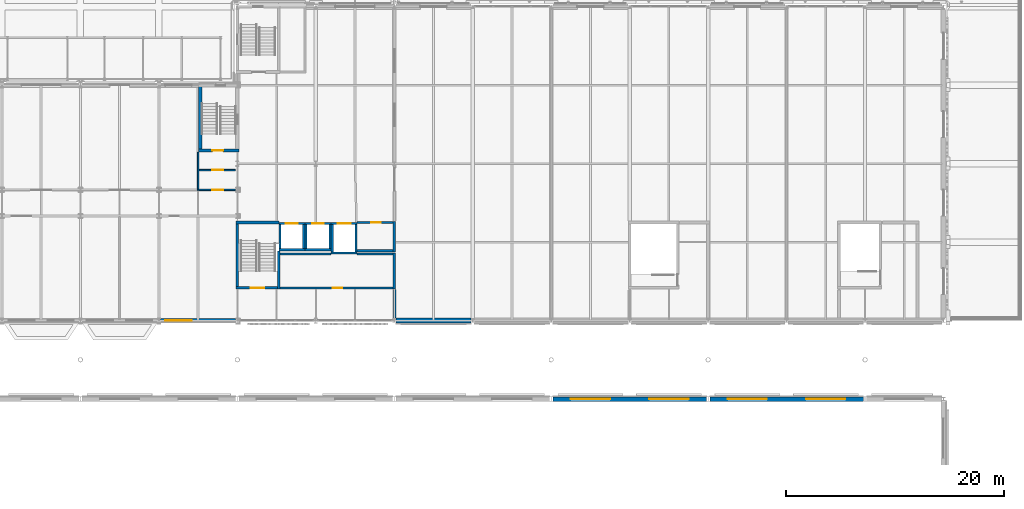
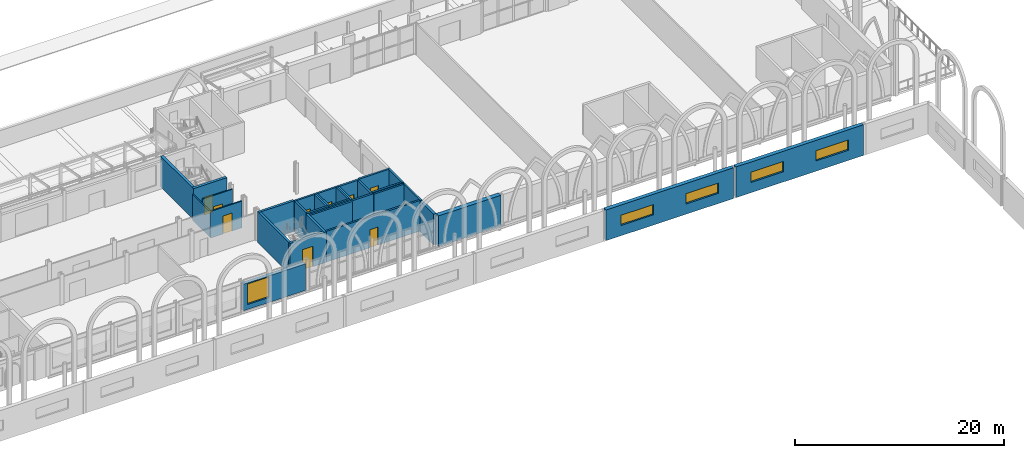
# One storey, part 82 of 143: 33 walls, 9 doors, 5 windows, 14 openings.
"""IFC4 building model written with IfcOpenShell, lengths in metres."""

from ifc_helpers import new_model, si_unit, direction, frame, frame_2d, origin, place, context, subcontext, project, spatial, rectangle, extrude, material, layer, layer_set, type_object, element, fill, save


model = new_model("IFC4")

# Units and contexts
model_context = context("Model", 3, precision=1e-05, world=origin(), true_north=direction((0.0, 1.0)))
body_context = subcontext(model_context, "Body", "Model", "MODEL_VIEW")
ifc_project = project(units=[si_unit("LENGTHUNIT", "METRE"), si_unit("AREAUNIT", "SQUARE_METRE"), si_unit("VOLUMEUNIT", "CUBIC_METRE"), si_unit("PLANEANGLEUNIT", "RADIAN"), si_unit("MASSUNIT", "GRAM", prefix="KILO")], contexts=[model_context])

# Site, building, storey
site_placement = place(None, origin())
site = spatial("IfcSite", under=ifc_project, at=site_placement, CompositionType="ELEMENT")
building_placement = place(site_placement, origin())
building = spatial("IfcBuilding", under=site, at=building_placement, Name="Kupolbacken Congress Centre", CompositionType="ELEMENT")
storey_placement = place(building_placement, frame((0.0, 0.0, 7.199951171875)))
storey = spatial("IfcBuildingStorey", under=building, at=storey_placement, Name="L02", CompositionType="ELEMENT", Elevation=7.199951171875)

# Wall, opening, window
ifc_material_1 = material(Name="Limestone", Category="masonry")
ifc_layer_1 = layer(ifc_material_1, 0.1201171875)
ifc_material_2 = material(Name="Air cavity", Category="air")
ifc_layer_2 = layer(ifc_material_2, 0.0400390625, ventilated=True)
ifc_material_3 = material(Name="Mineral wool", Category="insulation")
ifc_layer_3 = layer(ifc_material_3, 0.169921875)
ifc_material_4 = material(Name="Steel studs", Category="metal")
ifc_layer_4 = layer(ifc_material_4, 0.050048828125)
ifc_layer_set_1 = layer_set([ifc_layer_1, ifc_layer_2, ifc_layer_3, ifc_layer_4], Name="Limestone / Mineral wool / Steel studs")
wall_type_1 = type_object("IfcWallType", Name="EW03 external cavity wall 380", PredefinedType="SOLIDWALL", material=ifc_layer_set_1)
wall_1_placement = place(storey_placement, frame((129.75341796875, 122.39990234375, 0.0), z_axis=(0.0, 0.0, 1.0), x_axis=(1.0, 0.0, 0.0)))
wall_1 = element("IfcWall", 1, at=wall_1_placement, inside=storey, type_object=wall_type_1, Name="E/T/S/L02/029", PredefinedType="SOLIDWALL", context=body_context, shape_type="SweptSolid", body=[
    extrude(rectangle(XDim=6.896484375, YDim=0.3798828125, at=frame_2d((3.4482421875, 0.0))), origin(), (0.0, 0.0, 1.0), 3.1201171875),
])
opening_1_placement = place(wall_1_placement, frame((0.446533203125, 0.0, 0.60009765625)))
opening_1 = element("IfcOpeningElement", 2, at=opening_1_placement, cuts=wall_1, Name="Opening W30", PredefinedType="OPENING", context=body_context, shape_type="SweptSolid", body=[
    extrude(rectangle(XDim=2.39990234375, YDim=2.39990234375, at=frame_2d((1.199951171875, 1.199951171875))), frame((0.0, 0.199951171875, 0.0), z_axis=(0.0, -1.0, 0.0), x_axis=(1.0, 0.0, 0.0)), (0.0, 0.0, 1.0), 0.39990234375),
])
ifc_material_5 = material(Name="Aluminium frame with double or triple glazing", Category="aluminium")
window_type_1 = type_object("IfcWindowType", Name="W30 window 2400x2400", PartitioningType="DOUBLE_PANEL_VERTICAL", PredefinedType="WINDOW", material=ifc_material_5)
window_1_placement = place(opening_1_placement, origin())
window_1 = element("IfcWindow", 3, at=window_1_placement, inside=storey, type_object=window_type_1, Name="E/T/S/L02/029/W1", OverallHeight=2.39990234375, OverallWidth=2.39990234375, PartitioningType="SINGLE_PANEL", PredefinedType="WINDOW", context=body_context, shape_type="SweptSolid", body=[
    extrude(rectangle(XDim=2.39990234375, YDim=2.39990234375, at=frame_2d((1.199951171875, 1.199951171875))), frame((0.0, 0.030029296875, 0.0), z_axis=(0.0, -1.0, 0.0), x_axis=(1.0, 0.0, 0.0)), (0.0, 0.0, 1.0), 0.06005859375),
])
fill(opening_1, window_1)

# Wall, openings, windows
ifc_material_6 = material(Name="Brick", Category="masonry")
ifc_layer_5 = layer(ifc_material_6, 0.10791015625)
ifc_layer_6 = layer(ifc_material_2, 0.0400390625, ventilated=True)
ifc_layer_7 = layer(ifc_material_3, 0.152099609375)
ifc_material_7 = material(Name="Concrete block", Category="masonry")
ifc_layer_8 = layer(ifc_material_7, 0.1201171875)
ifc_layer_set_2 = layer_set([ifc_layer_5, ifc_layer_6, ifc_layer_7, ifc_layer_8], Name="Brick / Mineral wool / Concrete block")
wall_type_2 = type_object("IfcWallType", Name="EW04 external cavity wall 420", PredefinedType="SOLIDWALL", material=ifc_layer_set_2)
wall_2_placement = place(storey_placement, frame((194.25, 115.199951171875, 0.0), z_axis=(0.0, 0.0, 1.0), x_axis=(-1.0, 0.0, 0.0)))
wall_2 = element("IfcWall", 4, at=wall_2_placement, inside=storey, type_object=wall_type_2, Name="E/H/N/L02/257", PredefinedType="SOLIDWALL", context=body_context, shape_type="SweptSolid", body=[
    extrude(rectangle(XDim=14.10009765625, YDim=0.419921875, at=frame_2d((7.050048828125, 0.0))), origin(), (0.0, 0.0, 1.0), 3.60009765625),
])
opening_2_placement = place(wall_2_placement, frame((8.85009765625, 0.0, 1.199951171875)))
opening_2 = element("IfcOpeningElement", 5, at=opening_2_placement, cuts=wall_2, Name="Opening W12", PredefinedType="OPENING", context=body_context, shape_type="SweptSolid", body=[
    extrude(rectangle(XDim=3.60009765625, YDim=1.199951171875, at=frame_2d((1.800048828125, 0.60009765625))), frame((0.0, 0.219970703125, 0.0), z_axis=(0.0, -1.0, 0.0), x_axis=(1.0, 0.0, 0.0)), (0.0, 0.0, 1.0), 0.43994140625),
])
opening_3_placement = place(wall_2_placement, frame((1.64990234375, 0.0, 1.199951171875)))
opening_3 = element("IfcOpeningElement", 6, at=opening_3_placement, cuts=wall_2, Name="Opening W12", PredefinedType="OPENING", context=body_context, shape_type="SweptSolid", body=[
    extrude(rectangle(XDim=3.60009765625, YDim=1.199951171875, at=frame_2d((1.800048828125, 0.60009765625))), frame((0.0, 0.219970703125, 0.0), z_axis=(0.0, -1.0, 0.0), x_axis=(1.0, 0.0, 0.0)), (0.0, 0.0, 1.0), 0.43994140625),
])
ifc_material_8 = material(Name="Aluminium frame with double or triple glazing", Category="aluminium")
window_type_2 = type_object("IfcWindowType", Name="W12 window 3600x1200", PartitioningType="TRIPLE_PANEL_VERTICAL", PredefinedType="WINDOW", material=ifc_material_8)
window_2_placement = place(opening_2_placement, origin())
window_2 = element("IfcWindow", 7, at=window_2_placement, inside=storey, type_object=window_type_2, Name="E/H/N/L02/257/W1", OverallHeight=1.199951171875, OverallWidth=3.60009765625, PartitioningType="SINGLE_PANEL", PredefinedType="WINDOW", context=body_context, shape_type="SweptSolid", body=[
    extrude(rectangle(XDim=3.60009765625, YDim=1.199951171875, at=frame_2d((1.800048828125, 0.60009765625))), frame((0.0, 0.030029296875, 0.0), z_axis=(0.0, -1.0, 0.0), x_axis=(1.0, 0.0, 0.0)), (0.0, 0.0, 1.0), 0.06005859375),
])
fill(opening_2, window_2)
window_3_placement = place(opening_3_placement, origin())
window_3 = element("IfcWindow", 8, at=window_3_placement, inside=storey, type_object=window_type_2, Name="E/H/N/L02/257/W2", OverallHeight=1.199951171875, OverallWidth=3.60009765625, PartitioningType="SINGLE_PANEL", PredefinedType="WINDOW", context=body_context, shape_type="SweptSolid", body=[
    extrude(rectangle(XDim=3.60009765625, YDim=1.199951171875, at=frame_2d((1.800048828125, 0.60009765625))), frame((0.0, 0.030029296875, 0.0), z_axis=(0.0, -1.0, 0.0), x_axis=(1.0, 0.0, 0.0)), (0.0, 0.0, 1.0), 0.06005859375),
])
fill(opening_3, window_3)

wall_3_placement = place(storey_placement, frame((179.85009765625, 115.199951171875, 0.0), z_axis=(0.0, 0.0, 1.0), x_axis=(-1.0, 0.0, 0.0)))
wall_3 = element("IfcWall", 9, at=wall_3_placement, inside=storey, type_object=wall_type_2, Name="E/H/N/L02/258", PredefinedType="SOLIDWALL", context=body_context, shape_type="SweptSolid", body=[
    extrude(rectangle(XDim=14.10009765625, YDim=0.419921875, at=frame_2d((7.050048828125, 0.0))), origin(), (0.0, 0.0, 1.0), 3.60009765625),
])
opening_4_placement = place(wall_3_placement, frame((8.85009765625, 0.0, 1.199951171875)))
opening_4 = element("IfcOpeningElement", 10, at=opening_4_placement, cuts=wall_3, Name="Opening W12", PredefinedType="OPENING", context=body_context, shape_type="SweptSolid", body=[
    extrude(rectangle(XDim=3.60009765625, YDim=1.199951171875, at=frame_2d((1.800048828125, 0.60009765625))), frame((0.0, 0.219970703125, 0.0), z_axis=(0.0, -1.0, 0.0), x_axis=(1.0, 0.0, 0.0)), (0.0, 0.0, 1.0), 0.43994140625),
])
opening_5_placement = place(wall_3_placement, frame((1.64990234375, 0.0, 1.199951171875)))
opening_5 = element("IfcOpeningElement", 11, at=opening_5_placement, cuts=wall_3, Name="Opening W12", PredefinedType="OPENING", context=body_context, shape_type="SweptSolid", body=[
    extrude(rectangle(XDim=3.60009765625, YDim=1.199951171875, at=frame_2d((1.800048828125, 0.60009765625))), frame((0.0, 0.219970703125, 0.0), z_axis=(0.0, -1.0, 0.0), x_axis=(1.0, 0.0, 0.0)), (0.0, 0.0, 1.0), 0.43994140625),
])
window_4_placement = place(opening_4_placement, origin())
window_4 = element("IfcWindow", 12, at=window_4_placement, inside=storey, type_object=window_type_2, Name="E/H/N/L02/258/W1", OverallHeight=1.199951171875, OverallWidth=3.60009765625, PartitioningType="SINGLE_PANEL", PredefinedType="WINDOW", context=body_context, shape_type="SweptSolid", body=[
    extrude(rectangle(XDim=3.60009765625, YDim=1.199951171875, at=frame_2d((1.800048828125, 0.60009765625))), frame((0.0, 0.030029296875, 0.0), z_axis=(0.0, -1.0, 0.0), x_axis=(1.0, 0.0, 0.0)), (0.0, 0.0, 1.0), 0.06005859375),
])
fill(opening_4, window_4)
window_5_placement = place(opening_5_placement, origin())
window_5 = element("IfcWindow", 13, at=window_5_placement, inside=storey, type_object=window_type_2, Name="E/H/N/L02/258/W2", OverallHeight=1.199951171875, OverallWidth=3.60009765625, PartitioningType="SINGLE_PANEL", PredefinedType="WINDOW", context=body_context, shape_type="SweptSolid", body=[
    extrude(rectangle(XDim=3.60009765625, YDim=1.199951171875, at=frame_2d((1.800048828125, 0.60009765625))), frame((0.0, 0.030029296875, 0.0), z_axis=(0.0, -1.0, 0.0), x_axis=(1.0, 0.0, 0.0)), (0.0, 0.0, 1.0), 0.06005859375),
])
fill(opening_5, window_5)

# Walls
ifc_layer_9 = layer(ifc_material_1, 0.14990234375)
ifc_layer_10 = layer(ifc_material_2, 0.0400390625, ventilated=True)
ifc_layer_11 = layer(ifc_material_3, 0.169921875)
ifc_layer_12 = layer(ifc_material_7, 0.1201171875)
ifc_layer_set_3 = layer_set([ifc_layer_9, ifc_layer_10, ifc_layer_11, ifc_layer_12], Name="Limestone / Mineral wool / Concrete block")
wall_type_3 = type_object("IfcWallType", Name="EW07 external cavity wall 480", PredefinedType="SOLIDWALL", material=ifc_layer_set_3)
wall_4_placement = place(storey_placement, frame((151.35009765625, 122.39990234375, 0.0), z_axis=(0.0, 0.0, 1.0), x_axis=(1.0, 0.0, 0.0)))
element("IfcWall", 14, at=wall_4_placement, inside=storey, type_object=wall_type_3, Name="E/B/S/L02/212", PredefinedType="SOLIDWALL", context=body_context, shape_type="SweptSolid", body=[
    extrude(rectangle(XDim=6.89990234375, YDim=0.47998046875, at=frame_2d((3.449951171875, 0.0))), origin(), (0.0, 0.0, 1.0), 3.60009765625),
])
ifc_material_9 = material(Name="Gypsum board", Category="drywall")
ifc_layer_13 = layer(ifc_material_9, 0.27490234375)
ifc_layer_set_4 = layer_set([ifc_layer_13], Name="Gypsum board")
wall_type_4 = type_object("IfcWallType", Name="P12 partition 275", PredefinedType="PARTITIONING", material=ifc_layer_set_4)
wall_5_placement = place(storey_placement, frame((151.199951171875, 122.639892578125, 0.0), z_axis=(0.0, 0.0, 1.0), x_axis=(0.0, 1.0, 0.0)))
element("IfcWall", 15, at=wall_5_placement, inside=storey, type_object=wall_type_4, Name="PD/L02/W010", PredefinedType="PARTITIONING", context=body_context, shape_type="SweptSolid", body=[
    extrude(rectangle(XDim=2.60009765625, YDim=0.27490234375, at=frame_2d((1.300048828125, 0.0))), origin(), (0.0, 0.0, 1.0), 3.60009765625),
])

# Wall, opening, door
ifc_material_10 = material(Name="Aerated concrete block", Category="masonry")
ifc_layer_14 = layer(ifc_material_10, 0.139892578125)
ifc_layer_set_5 = layer_set([ifc_layer_14], Name="Aerated concrete block")
wall_type_5 = type_object("IfcWallType", Name="P14 compartment wall 140", PredefinedType="PARTITIONING", material=ifc_layer_set_5)
wall_6_placement = place(storey_placement, frame((133.1298828125, 134.39990234375, 0.0), z_axis=(0.0, 0.0, 1.0), x_axis=(1.0, 0.0, 0.0)))
wall_6 = element("IfcWall", 16, at=wall_6_placement, inside=storey, type_object=wall_type_5, Name="T/wall/L02/x/13440/13320", PredefinedType="PARTITIONING", context=body_context, shape_type="SweptSolid", body=[
    extrude(rectangle(XDim=3.480224609375, YDim=0.139892578125, at=frame_2d((1.740234375, 0.0))), origin(), (0.0, 0.0, 1.0), 3.1201171875),
])
opening_6_placement = place(wall_6_placement, frame((1.3701171875, 0.0, 0.0)))
opening_6 = element("IfcOpeningElement", 17, at=opening_6_placement, cuts=wall_6, Name="Opening D5", PredefinedType="OPENING", context=body_context, shape_type="SweptSolid", body=[
    extrude(rectangle(XDim=1.0, YDim=2.10009765625, at=frame_2d((0.5, 1.050048828125))), frame((0.0, 0.079833984375, 0.0), z_axis=(0.0, -1.0, 0.0), x_axis=(1.0, 0.0, 0.0)), (0.0, 0.0, 1.0), 0.159912109375),
])
ifc_material_11 = material(Name="Steel fire door leaf", Category="steel")
door_type_1 = type_object("IfcDoorType", Name="D5 stair door 1000x2100", OperationType="SINGLE_SWING_LEFT", PredefinedType="DOOR", material=ifc_material_11)
door_1_placement = place(opening_6_placement, frame((1.0, 0.0, 0.0), z_axis=(0.0, 0.0, 1.0), x_axis=(-1.0, 0.0, 0.0)))
door_1 = element("IfcDoor", 18, at=door_1_placement, inside=storey, type_object=door_type_1, Name="T/wall/L02/x/13440/13320/D-TS4-LK3", OperationType="SINGLE_SWING_LEFT", OverallHeight=2.10009765625, OverallWidth=1.0, PredefinedType="DOOR", context=body_context, shape_type="SweptSolid", body=[
    extrude(rectangle(XDim=1.0, YDim=2.10009765625, at=frame_2d((0.5, 1.050048828125))), frame((0.0, 0.02490234375, 0.0), z_axis=(0.0, -1.0, 0.0), x_axis=(1.0, 0.0, 0.0)), (0.0, 0.0, 1.0), 0.050048828125),
])
fill(opening_6, door_1)

wall_7_placement = place(storey_placement, frame((133.27001953125, 136.199951171875, 0.0), z_axis=(0.0, 0.0, 1.0), x_axis=(1.0, 0.0, 0.0)))
wall_7 = element("IfcWall", 19, at=wall_7_placement, inside=storey, type_object=wall_type_5, Name="T/wall/L02/x/13620/13320", PredefinedType="PARTITIONING", context=body_context, shape_type="SweptSolid", body=[
    extrude(rectangle(XDim=3.340087890625, YDim=0.139892578125, at=frame_2d((1.669921875, 0.0))), origin(), (0.0, 0.0, 1.0), 3.420166015625),
])
opening_7_placement = place(wall_7_placement, frame((1.22998046875, 0.0, 0.0)))
opening_7 = element("IfcOpeningElement", 20, at=opening_7_placement, cuts=wall_7, Name="Opening D5", PredefinedType="OPENING", context=body_context, shape_type="SweptSolid", body=[
    extrude(rectangle(XDim=1.0, YDim=2.10009765625, at=frame_2d((0.5, 1.050048828125))), frame((0.0, 0.079833984375, 0.0), z_axis=(0.0, -1.0, 0.0), x_axis=(1.0, 0.0, 0.0)), (0.0, 0.0, 1.0), 0.159912109375),
])
door_2_placement = place(opening_7_placement, frame((1.0, 0.0, 0.0), z_axis=(0.0, 0.0, 1.0), x_axis=(-1.0, 0.0, 0.0)))
door_2 = element("IfcDoor", 21, at=door_2_placement, inside=storey, type_object=door_type_1, Name="T/wall/L02/x/13620/13320/D-TS4-LK2", OperationType="SINGLE_SWING_LEFT", OverallHeight=2.10009765625, OverallWidth=1.0, PredefinedType="DOOR", context=body_context, shape_type="SweptSolid", body=[
    extrude(rectangle(XDim=1.0, YDim=2.10009765625, at=frame_2d((0.5, 1.050048828125))), frame((0.0, 0.02490234375, 0.0), z_axis=(0.0, -1.0, 0.0), x_axis=(1.0, 0.0, 0.0)), (0.0, 0.0, 1.0), 0.050048828125),
])
fill(opening_7, door_2)

# Wall
wall_8_placement = place(storey_placement, frame((133.199951171875, 134.469970703125, 0.0), z_axis=(0.0, 0.0, 1.0), x_axis=(0.0, 1.0, 0.0)))
element("IfcWall", 22, at=wall_8_placement, inside=storey, type_object=wall_type_5, Name="T/wall/L02/y/13320/13440", PredefinedType="PARTITIONING", context=body_context, shape_type="SweptSolid", body=[
    extrude(rectangle(XDim=3.380126953125, YDim=0.139892578125, at=frame_2d((1.68994140625, 0.0))), origin(), (0.0, 0.0, 1.0), 3.02001953125),
])

# Wall, opening, door
ifc_material_12 = material(Name="Concrete C40/50", Category="concrete")
ifc_layer_15 = layer(ifc_material_12, 0.199951171875)
ifc_layer_set_6 = layer_set([ifc_layer_15], Name="Concrete C40/50")
wall_type_6 = type_object("IfcWallType", Name="WC1 RC shaft wall 200", PredefinedType="SHEAR", material=ifc_layer_set_6)
wall_9_placement = place(storey_placement, frame((140.72509765625, 125.39990234375, 0.0), z_axis=(0.0, 0.0, 1.0), x_axis=(1.0, 0.0, 0.0)))
wall_9 = element("IfcWall", 23, at=wall_9_placement, inside=storey, type_object=wall_type_6, Name="Shaft wall L02-083", PredefinedType="SHEAR", context=body_context, shape_type="SweptSolid", body=[
    extrude(rectangle(XDim=10.574951171875, YDim=0.199951171875, at=frame_2d((5.28759765625, 0.0))), origin(), (0.0, 0.0, 1.0), 3.60009765625),
])
opening_8_placement = place(wall_9_placement, frame((4.85009765625, 0.0, 0.0)))
opening_8 = element("IfcOpeningElement", 24, at=opening_8_placement, cuts=wall_9, Name="Opening 2.G03", PredefinedType="OPENING", context=body_context, shape_type="SweptSolid", body=[
    extrude(rectangle(XDim=0.85009765625, YDim=2.10009765625, at=frame_2d((0.425048828125, 1.050048828125))), frame((0.0, 0.10986328125, 0.0), z_axis=(0.0, -1.0, 0.0), x_axis=(1.0, 0.0, 0.0)), (0.0, 0.0, 1.0), 0.219970703125),
])
ifc_material_13 = material(Name="Steel fire door leaf", Category="steel")
door_type_2 = type_object("IfcDoorType", Name="D3 fire door 850x2100", OperationType="SINGLE_SWING_LEFT", PredefinedType="DOOR", material=ifc_material_13)
door_3_placement = place(opening_8_placement, origin())
door_3 = element("IfcDoor", 25, at=door_3_placement, inside=storey, type_object=door_type_2, Name="S/core/L02/083/D2G03", OperationType="SINGLE_SWING_RIGHT", OverallHeight=2.10009765625, OverallWidth=0.85009765625, PredefinedType="DOOR", context=body_context, shape_type="SweptSolid", body=[
    extrude(rectangle(XDim=0.85009765625, YDim=2.10009765625, at=frame_2d((0.425048828125, 1.050048828125))), frame((0.0, 0.02490234375, 0.0), z_axis=(0.0, -1.0, 0.0), x_axis=(1.0, 0.0, 0.0)), (0.0, 0.0, 1.0), 0.050048828125),
])
fill(opening_8, door_3)

# Walls
wall_10_placement = place(storey_placement, frame((151.199951171875, 125.300048828125, 0.0), z_axis=(0.0, 0.0, 1.0), x_axis=(0.0, 1.0, 0.0)))
element("IfcWall", 26, at=wall_10_placement, inside=storey, type_object=wall_type_6, Name="Shaft wall L02-085", PredefinedType="SHEAR", context=body_context, shape_type="SweptSolid", body=[
    extrude(rectangle(XDim=3.300048828125, YDim=0.199951171875, at=frame_2d((1.64990234375, 0.0))), origin(), (0.0, 0.0, 1.0), 3.60009765625),
])
wall_11_placement = place(storey_placement, frame((140.60009765625, 128.5, 0.0), z_axis=(0.0, 0.0, 1.0), x_axis=(1.0, 0.0, 0.0)))
element("IfcWall", 27, at=wall_11_placement, inside=storey, type_object=wall_type_6, Name="Shaft wall L02-095", PredefinedType="SHEAR", context=body_context, shape_type="SweptSolid", body=[
    extrude(rectangle(XDim=4.7998046875, YDim=0.199951171875, at=frame_2d((2.39990234375, 0.0))), origin(), (0.0, 0.0, 1.0), 3.60009765625),
])
for number, where, z_axis, x_axis, name in (
    (28, (147.800048828125, 128.5, 0.0), (0.0, 0.0, 1.0), (1.0, 0.0, 0.0), "Shaft wall L02-097"),
    (29, (147.800048828125, 128.800048828125, 0.0), (0.0, 0.0, 1.0), (1.0, 0.0, 0.0), "Shaft wall L02-098"),
):
    element("IfcWall", number, at=place(storey_placement, frame(where, z_axis=z_axis, x_axis=x_axis)), inside=storey, type_object=wall_type_6, Name=name, PredefinedType="SHEAR", context=body_context, shape_type="SweptSolid", body=[
        extrude(rectangle(XDim=3.5, YDim=0.199951171875, at=frame_2d((1.75, 0.0))), origin(), (0.0, 0.0, 1.0), 3.60009765625),
    ])
wall_12_placement = place(storey_placement, frame((151.199951171875, 128.699951171875, 0.0), z_axis=(0.0, 0.0, 1.0), x_axis=(0.0, 1.0, 0.0)))
element("IfcWall", 30, at=wall_12_placement, inside=storey, type_object=wall_type_6, Name="Shaft wall L02-099", PredefinedType="SHEAR", context=body_context, shape_type="SweptSolid", body=[
    extrude(rectangle(XDim=2.800048828125, YDim=0.199951171875, at=frame_2d((1.39990234375, 0.0))), origin(), (0.0, 0.0, 1.0), 3.60009765625),
])

# Wall, opening, door
wall_13_placement = place(storey_placement, frame((151.300048828125, 131.39990234375, 0.0), z_axis=(0.0, 0.0, 1.0), x_axis=(-1.0, 0.0, 0.0)))
wall_13 = element("IfcWall", 31, at=wall_13_placement, inside=storey, type_object=wall_type_6, Name="Shaft wall L02-103", PredefinedType="SHEAR", context=body_context, shape_type="SweptSolid", body=[
    extrude(rectangle(XDim=3.5, YDim=0.199951171875, at=frame_2d((1.75, 0.0))), origin(), (0.0, 0.0, 1.0), 3.60009765625),
])
opening_9_placement = place(wall_13_placement, frame((1.35009765625, 0.0, 0.0)))
opening_9 = element("IfcOpeningElement", 32, at=opening_9_placement, cuts=wall_13, Name="Opening 2.G02", PredefinedType="OPENING", context=body_context, shape_type="SweptSolid", body=[
    extrude(rectangle(XDim=0.85009765625, YDim=2.10009765625, at=frame_2d((0.425048828125, 1.050048828125))), frame((0.0, 0.10986328125, 0.0), z_axis=(0.0, -1.0, 0.0), x_axis=(1.0, 0.0, 0.0)), (0.0, 0.0, 1.0), 0.219970703125),
])
door_4_placement = place(opening_9_placement, origin())
door_4 = element("IfcDoor", 33, at=door_4_placement, inside=storey, type_object=door_type_2, Name="S/core/L02/103/D2G02", OperationType="SINGLE_SWING_RIGHT", OverallHeight=2.10009765625, OverallWidth=0.85009765625, PredefinedType="DOOR", context=body_context, shape_type="SweptSolid", body=[
    extrude(rectangle(XDim=0.85009765625, YDim=2.10009765625, at=frame_2d((0.425048828125, 1.050048828125))), frame((0.0, 0.02490234375, 0.0), z_axis=(0.0, -1.0, 0.0), x_axis=(1.0, 0.0, 0.0)), (0.0, 0.0, 1.0), 0.050048828125),
])
fill(opening_9, door_4)

# Wall
wall_14_placement = place(storey_placement, frame((140.60009765625, 128.89990234375, 0.0), z_axis=(0.0, 0.0, 1.0), x_axis=(1.0, 0.0, 0.0)))
element("IfcWall", 34, at=wall_14_placement, inside=storey, type_object=wall_type_6, Name="Shaft wall LP15", PredefinedType="SHEAR", context=body_context, shape_type="SweptSolid", body=[
    extrude(rectangle(XDim=2.39990234375, YDim=0.199951171875, at=frame_2d((1.199951171875, 0.0))), origin(), (0.0, 0.0, 1.0), 3.60009765625),
])

# Wall, opening, door
wall_15_placement = place(storey_placement, frame((140.60009765625, 131.300048828125, 0.0), z_axis=(0.0, 0.0, 1.0), x_axis=(1.0, 0.0, 0.0)))
wall_15 = element("IfcWall", 35, at=wall_15_placement, inside=storey, type_object=wall_type_6, Name="Shaft wall LP15", PredefinedType="SHEAR", context=body_context, shape_type="SweptSolid", body=[
    extrude(rectangle(XDim=2.39990234375, YDim=0.199951171875, at=frame_2d((1.199951171875, 0.0))), origin(), (0.0, 0.0, 1.0), 3.60009765625),
])
opening_10_placement = place(wall_15_placement, frame((0.64990234375, 0.0, 0.0)))
opening_10 = element("IfcOpeningElement", 36, at=opening_10_placement, cuts=wall_15, Name="Opening LD2", PredefinedType="OPENING", context=body_context, shape_type="SweptSolid", body=[
    extrude(rectangle(XDim=1.10009765625, YDim=2.10009765625, at=frame_2d((0.550048828125, 1.050048828125))), frame((0.0, 0.10986328125, 0.0), z_axis=(0.0, -1.0, 0.0), x_axis=(1.0, 0.0, 0.0)), (0.0, 0.0, 1.0), 0.219970703125),
])
ifc_material_14 = material(Name="Stainless steel door leaf", Category="steel")
door_type_3 = type_object("IfcDoorType", Name="LD2 lift landing door 1100x2100", OperationType="SLIDING_TO_LEFT", PredefinedType="DOOR", material=ifc_material_14)
door_5_placement = place(opening_10_placement, origin())
door_5 = element("IfcDoor", 37, at=door_5_placement, inside=storey, type_object=door_type_3, Name="Lift landing door LP15", OperationType="SLIDING_TO_LEFT", OverallHeight=2.10009765625, OverallWidth=1.10009765625, PredefinedType="DOOR", context=body_context, shape_type="SweptSolid", body=[
    extrude(rectangle(XDim=1.10009765625, YDim=2.10009765625, at=frame_2d((0.550048828125, 1.050048828125))), frame((0.0, 0.02490234375, 0.0), z_axis=(0.0, -1.0, 0.0), x_axis=(1.0, 0.0, 0.0)), (0.0, 0.0, 1.0), 0.050048828125),
])
fill(opening_10, door_5)

# Walls
for number, where, z_axis, x_axis, name in (
    (38, (140.699951171875, 129.0, 0.0), (0.0, 0.0, 1.0), (0.0, 1.0, 0.0), "Shaft wall LP15"),
    (39, (142.89990234375, 129.0, 0.0), (0.0, 0.0, 1.0), (0.0, 1.0, 0.0), "Shaft wall LP15"),
):
    element("IfcWall", number, at=place(storey_placement, frame(where, z_axis=z_axis, x_axis=x_axis)), inside=storey, type_object=wall_type_6, Name=name, PredefinedType="SHEAR", context=body_context, shape_type="SweptSolid", body=[
        extrude(rectangle(XDim=2.199951171875, YDim=0.199951171875, at=frame_2d((1.10009765625, 0.0))), origin(), (0.0, 0.0, 1.0), 3.60009765625),
    ])
wall_16_placement = place(storey_placement, frame((143.0, 128.89990234375, 0.0), z_axis=(0.0, 0.0, 1.0), x_axis=(1.0, 0.0, 0.0)))
element("IfcWall", 40, at=wall_16_placement, inside=storey, type_object=wall_type_6, Name="Shaft wall LP16", PredefinedType="SHEAR", context=body_context, shape_type="SweptSolid", body=[
    extrude(rectangle(XDim=2.39990234375, YDim=0.199951171875, at=frame_2d((1.199951171875, 0.0))), origin(), (0.0, 0.0, 1.0), 3.60009765625),
])

# Wall, opening, door
wall_17_placement = place(storey_placement, frame((143.0, 131.300048828125, 0.0), z_axis=(0.0, 0.0, 1.0), x_axis=(1.0, 0.0, 0.0)))
wall_17 = element("IfcWall", 41, at=wall_17_placement, inside=storey, type_object=wall_type_6, Name="Shaft wall LP16", PredefinedType="SHEAR", context=body_context, shape_type="SweptSolid", body=[
    extrude(rectangle(XDim=2.39990234375, YDim=0.199951171875, at=frame_2d((1.199951171875, 0.0))), origin(), (0.0, 0.0, 1.0), 3.60009765625),
])
opening_11_placement = place(wall_17_placement, frame((0.64990234375, 0.0, 0.0)))
opening_11 = element("IfcOpeningElement", 42, at=opening_11_placement, cuts=wall_17, Name="Opening LD2", PredefinedType="OPENING", context=body_context, shape_type="SweptSolid", body=[
    extrude(rectangle(XDim=1.10009765625, YDim=2.10009765625, at=frame_2d((0.550048828125, 1.050048828125))), frame((0.0, 0.10986328125, 0.0), z_axis=(0.0, -1.0, 0.0), x_axis=(1.0, 0.0, 0.0)), (0.0, 0.0, 1.0), 0.219970703125),
])
door_6_placement = place(opening_11_placement, origin())
door_6 = element("IfcDoor", 43, at=door_6_placement, inside=storey, type_object=door_type_3, Name="Lift landing door LP16", OperationType="SLIDING_TO_LEFT", OverallHeight=2.10009765625, OverallWidth=1.10009765625, PredefinedType="DOOR", context=body_context, shape_type="SweptSolid", body=[
    extrude(rectangle(XDim=1.10009765625, YDim=2.10009765625, at=frame_2d((0.550048828125, 1.050048828125))), frame((0.0, 0.02490234375, 0.0), z_axis=(0.0, -1.0, 0.0), x_axis=(1.0, 0.0, 0.0)), (0.0, 0.0, 1.0), 0.050048828125),
])
fill(opening_11, door_6)

# Walls
for number, where, z_axis, x_axis, name in (
    (44, (143.10009765625, 129.0, 0.0), (0.0, 0.0, 1.0), (0.0, 1.0, 0.0), "Shaft wall LP16"),
    (45, (145.300048828125, 129.0, 0.0), (0.0, 0.0, 1.0), (0.0, 1.0, 0.0), "Shaft wall LP16"),
):
    element("IfcWall", number, at=place(storey_placement, frame(where, z_axis=z_axis, x_axis=x_axis)), inside=storey, type_object=wall_type_6, Name=name, PredefinedType="SHEAR", context=body_context, shape_type="SweptSolid", body=[
        extrude(rectangle(XDim=2.199951171875, YDim=0.199951171875, at=frame_2d((1.10009765625, 0.0))), origin(), (0.0, 0.0, 1.0), 3.60009765625),
    ])
wall_18_placement = place(storey_placement, frame((145.39990234375, 128.60009765625, 0.0), z_axis=(0.0, 0.0, 1.0), x_axis=(1.0, 0.0, 0.0)))
element("IfcWall", 46, at=wall_18_placement, inside=storey, type_object=wall_type_6, Name="Shaft wall LV2", PredefinedType="SHEAR", context=body_context, shape_type="SweptSolid", body=[
    extrude(rectangle(XDim=2.400146484375, YDim=0.199951171875, at=frame_2d((1.2001953125, 0.0))), origin(), (0.0, 0.0, 1.0), 3.60009765625),
])

# Wall, opening, door
wall_19_placement = place(storey_placement, frame((145.39990234375, 131.300048828125, 0.0), z_axis=(0.0, 0.0, 1.0), x_axis=(1.0, 0.0, 0.0)))
wall_19 = element("IfcWall", 47, at=wall_19_placement, inside=storey, type_object=wall_type_6, Name="Shaft wall LV2", PredefinedType="SHEAR", context=body_context, shape_type="SweptSolid", body=[
    extrude(rectangle(XDim=2.400146484375, YDim=0.199951171875, at=frame_2d((1.2001953125, 0.0))), origin(), (0.0, 0.0, 1.0), 3.60009765625),
])
opening_12_placement = place(wall_19_placement, frame((0.60009765625, 0.0, 0.0)))
opening_12 = element("IfcOpeningElement", 48, at=opening_12_placement, cuts=wall_19, Name="Opening LD1", PredefinedType="OPENING", context=body_context, shape_type="SweptSolid", body=[
    extrude(rectangle(XDim=1.199951171875, YDim=2.10009765625, at=frame_2d((0.60009765625, 1.050048828125))), frame((0.0, 0.10986328125, 0.0), z_axis=(0.0, -1.0, 0.0), x_axis=(1.0, 0.0, 0.0)), (0.0, 0.0, 1.0), 0.219970703125),
])
ifc_material_15 = material(Name="Stainless steel door leaf", Category="steel")
door_type_4 = type_object("IfcDoorType", Name="LD1 lift landing door 1200x2100", OperationType="SLIDING_TO_LEFT", PredefinedType="DOOR", material=ifc_material_15)
door_7_placement = place(opening_12_placement, origin())
door_7 = element("IfcDoor", 49, at=door_7_placement, inside=storey, type_object=door_type_4, Name="Lift landing door LV2", OperationType="SLIDING_TO_LEFT", OverallHeight=2.10009765625, OverallWidth=1.199951171875, PredefinedType="DOOR", context=body_context, shape_type="SweptSolid", body=[
    extrude(rectangle(XDim=1.199951171875, YDim=2.10009765625, at=frame_2d((0.60009765625, 1.050048828125))), frame((0.0, 0.02490234375, 0.0), z_axis=(0.0, -1.0, 0.0), x_axis=(1.0, 0.0, 0.0)), (0.0, 0.0, 1.0), 0.050048828125),
])
fill(opening_12, door_7)

# Walls
for number, where, z_axis, x_axis, name in (
    (50, (145.5, 128.699951171875, 0.0), (0.0, 0.0, 1.0), (0.0, 1.0, 0.0), "Shaft wall LV2"),
    (51, (147.699951171875, 128.699951171875, 0.0), (0.0, 0.0, 1.0), (0.0, 1.0, 0.0), "Shaft wall LV2"),
):
    element("IfcWall", number, at=place(storey_placement, frame(where, z_axis=z_axis, x_axis=x_axis)), inside=storey, type_object=wall_type_6, Name=name, PredefinedType="SHEAR", context=body_context, shape_type="SweptSolid", body=[
        extrude(rectangle(XDim=2.5, YDim=0.199951171875, at=frame_2d((1.25, 0.0))), origin(), (0.0, 0.0, 1.0), 3.60009765625),
    ])

# Wall, opening, door
ifc_material_16 = material(Name="Concrete C40/50", Category="concrete")
ifc_layer_16 = layer(ifc_material_16, 0.25)
ifc_layer_set_7 = layer_set([ifc_layer_16], Name="Concrete C40/50")
wall_type_7 = type_object("IfcWallType", Name="WC2 RC stair enclosure wall 250", PredefinedType="SHEAR", material=ifc_layer_set_7)
wall_20_placement = place(storey_placement, frame((136.675048828125, 125.39990234375, 0.0), z_axis=(0.0, 0.0, 1.0), x_axis=(1.0, 0.0, 0.0)))
wall_20 = element("IfcWall", 52, at=wall_20_placement, inside=storey, type_object=wall_type_7, Name="Stair enclosure wall L02-082", PredefinedType="SHEAR", context=body_context, shape_type="SweptSolid", body=[
    extrude(rectangle(XDim=4.050048828125, YDim=0.25, at=frame_2d((2.02490234375, 0.0))), origin(), (0.0, 0.0, 1.0), 3.60009765625),
])
opening_13_placement = place(wall_20_placement, frame((1.375, 0.0, 0.0)))
opening_13 = element("IfcOpeningElement", 53, at=opening_13_placement, cuts=wall_20, Name="Opening 2.G01", PredefinedType="OPENING", context=body_context, shape_type="SweptSolid", body=[
    extrude(rectangle(XDim=1.199951171875, YDim=2.39990234375, at=frame_2d((0.60009765625, 1.199951171875))), frame((0.0, 0.135009765625, 0.0), z_axis=(0.0, -1.0, 0.0), x_axis=(1.0, 0.0, 0.0)), (0.0, 0.0, 1.0), 0.27001953125),
])
ifc_material_17 = material(Name="Steel fire door leaf", Category="steel")
door_type_5 = type_object("IfcDoorType", Name="D9 fire door 1200x2400", OperationType="SINGLE_SWING_LEFT", PredefinedType="DOOR", material=ifc_material_17)
door_8_placement = place(opening_13_placement, origin())
door_8 = element("IfcDoor", 54, at=door_8_placement, inside=storey, type_object=door_type_5, Name="S/core/L02/082/D2G01", OperationType="SINGLE_SWING_RIGHT", OverallHeight=2.39990234375, OverallWidth=1.199951171875, PredefinedType="DOOR", context=body_context, shape_type="SweptSolid", body=[
    extrude(rectangle(XDim=1.199951171875, YDim=2.39990234375, at=frame_2d((0.60009765625, 1.199951171875))), frame((0.0, 0.02490234375, 0.0), z_axis=(0.0, -1.0, 0.0), x_axis=(1.0, 0.0, 0.0)), (0.0, 0.0, 1.0), 0.050048828125),
])
fill(opening_13, door_8)

# Walls
wall_21_placement = place(storey_placement, frame((140.60009765625, 125.27490234375, 0.0), z_axis=(0.0, 0.0, 1.0), x_axis=(0.0, 1.0, 0.0)))
element("IfcWall", 55, at=wall_21_placement, inside=storey, type_object=wall_type_7, Name="Stair enclosure wall L02-084", PredefinedType="SHEAR", context=body_context, shape_type="SweptSolid", body=[
    extrude(rectangle(XDim=3.525146484375, YDim=0.25, at=frame_2d((1.7626953125, 0.0))), origin(), (0.0, 0.0, 1.0), 3.60009765625),
])
wall_22_placement = place(storey_placement, frame((136.800048828125, 131.52490234375, 0.0), z_axis=(0.0, 0.0, 1.0), x_axis=(0.0, -1.0, 0.0)))
element("IfcWall", 56, at=wall_22_placement, inside=storey, type_object=wall_type_7, Name="Stair enclosure wall L02-101", PredefinedType="SHEAR", context=body_context, shape_type="SweptSolid", body=[
    extrude(rectangle(XDim=6.25, YDim=0.25, at=frame_2d((3.125, 0.0))), origin(), (0.0, 0.0, 1.0), 3.60009765625),
])
wall_23_placement = place(storey_placement, frame((140.60009765625, 131.39990234375, 0.0), z_axis=(0.0, 0.0, 1.0), x_axis=(-1.0, 0.0, 0.0)))
element("IfcWall", 57, at=wall_23_placement, inside=storey, type_object=wall_type_7, Name="Stair enclosure wall L02-102", PredefinedType="SHEAR", context=body_context, shape_type="SweptSolid", body=[
    extrude(rectangle(XDim=3.925048828125, YDim=0.25, at=frame_2d((1.96240234375, 0.0))), origin(), (0.0, 0.0, 1.0), 3.60009765625),
])

# Wall, opening, door
ifc_material_18 = material(Name="Concrete C40/50", Category="concrete")
ifc_layer_17 = layer(ifc_material_18, 0.300048828125)
ifc_layer_set_8 = layer_set([ifc_layer_17], Name="Concrete C40/50")
wall_type_8 = type_object("IfcWallType", Name="WC3 RC core wall 300", PredefinedType="SHEAR", material=ifc_layer_set_8)
wall_24_placement = place(storey_placement, frame((133.25, 138.0, 0.0), z_axis=(0.0, 0.0, 1.0), x_axis=(1.0, 0.0, 0.0)))
wall_24 = element("IfcWall", 58, at=wall_24_placement, inside=storey, type_object=wall_type_8, Name="Core wall L02-122", PredefinedType="SHEAR", context=body_context, shape_type="SweptSolid", body=[
    extrude(rectangle(XDim=3.699951171875, YDim=0.300048828125, at=frame_2d((1.85009765625, 0.0))), origin(), (0.0, 0.0, 1.0), 3.60009765625),
])
opening_14_placement = place(wall_24_placement, frame((1.25, 0.0, 0.0)))
opening_14 = element("IfcOpeningElement", 59, at=opening_14_placement, cuts=wall_24, Name="Opening D5", PredefinedType="OPENING", context=body_context, shape_type="SweptSolid", body=[
    extrude(rectangle(XDim=1.0, YDim=2.10009765625, at=frame_2d((0.5, 1.050048828125))), frame((0.0, 0.159912109375, 0.0), z_axis=(0.0, -1.0, 0.0), x_axis=(1.0, 0.0, 0.0)), (0.0, 0.0, 1.0), 0.320068359375),
])
door_9_placement = place(opening_14_placement, origin())
door_9 = element("IfcDoor", 60, at=door_9_placement, inside=storey, type_object=door_type_1, Name="S/core/L02/122/D-TS4-LK1", OperationType="SINGLE_SWING_RIGHT", OverallHeight=2.10009765625, OverallWidth=1.0, PredefinedType="DOOR", context=body_context, shape_type="SweptSolid", body=[
    extrude(rectangle(XDim=1.0, YDim=2.10009765625, at=frame_2d((0.5, 1.050048828125))), frame((0.0, 0.02490234375, 0.0), z_axis=(0.0, -1.0, 0.0), x_axis=(1.0, 0.0, 0.0)), (0.0, 0.0, 1.0), 0.050048828125),
])
fill(opening_14, door_9)

# Wall
wall_25_placement = place(storey_placement, frame((133.39990234375, 144.14990234375, 0.0), z_axis=(0.0, 0.0, 1.0), x_axis=(0.0, -1.0, 0.0)))
element("IfcWall", 61, at=wall_25_placement, inside=storey, type_object=wall_type_8, Name="Core wall L02-130", PredefinedType="SHEAR", context=body_context, shape_type="SweptSolid", body=[
    extrude(rectangle(XDim=6.2998046875, YDim=0.300048828125, at=frame_2d((3.14990234375, 0.0))), origin(), (0.0, 0.0, 1.0), 3.60009765625),
])

save(model, "model.ifc")
